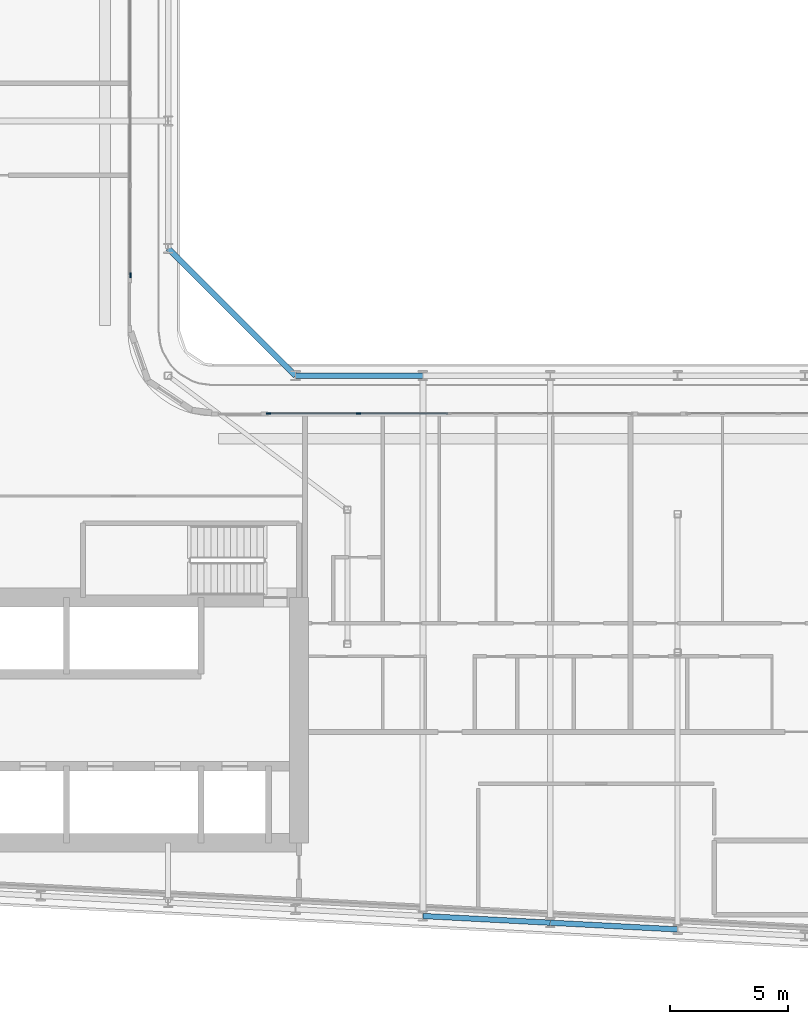
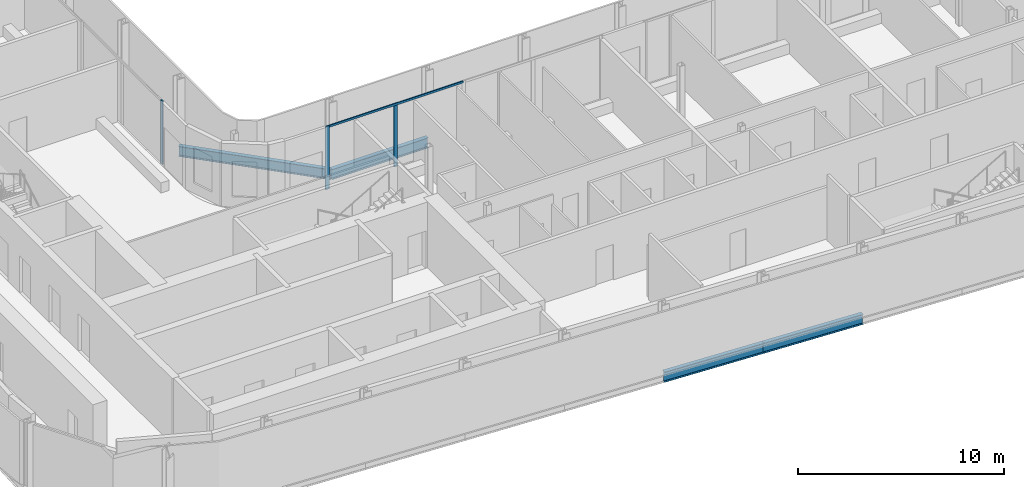
# One storey, part 6 of 30: 4 beams, 4 members, 2 elements without a shape of their own.
"""IFC4 building model written with IfcOpenShell, lengths in metres."""

import ifcopenshell
import ifcopenshell.guid

model = None  # the IFC model being written
_history = None  # IfcOwnerHistory: only IFC2X3 demands one
_inside = {}  # id of a spatial element -> (the spatial element, [elements in it])
_under = {}  # id of a project, library or spatial element -> (it, [spatial elements below it])
_declared = {}  # id of a project -> (the project, [libraries it declares])
_typed = {}  # id of a type object -> (the type object, [elements of that type])
_made_of = {}  # id of a material, layer set ... -> (it, [elements and type objects made of it])


def new_model(schema):
    """Start an empty IFC model of exactly this schema.

    Asked for "IFC4X3", IfcOpenShell would pick the latest addendum, in which some entities
    have other attributes; the version numbers below select the first issue.
    IFC2X3 requires an IfcOwnerHistory on every rooted entity: one is made here for all.
    """
    global model, _history
    if schema == "IFC4X3":
        model = ifcopenshell.file(schema_version=(4, 3, 0, 0))
    else:
        model = ifcopenshell.file(schema=schema)
    _inside.clear()
    _under.clear()
    _declared.clear()
    _typed.clear()
    _made_of.clear()
    _history = None
    if model.schema == "IFC2X3":
        org = make("IfcOrganization", Name="unknown")
        user = make(
            "IfcPersonAndOrganization",
            ThePerson=make("IfcPerson", FamilyName="unknown"),
            TheOrganization=org,
        )
        app = make(
            "IfcApplication",
            ApplicationDeveloper=org,
            Version="unknown",
            ApplicationFullName="unknown",
            ApplicationIdentifier="unknown",
        )
        _history = make(
            "IfcOwnerHistory",
            OwningUser=user,
            OwningApplication=app,
            ChangeAction="ADDED",
            CreationDate=0,
        )
    return model


def make(cls, **values):
    """One entity of the class cls with the attributes given. An attribute that is None is left unset."""
    return model.create_entity(
        cls, **{name: value for name, value in values.items() if value is not None}
    )


def rooted(cls, **values):
    """An entity with a GlobalId (a new one), such as an element, a storey or a relation."""
    return make(cls, GlobalId=ifcopenshell.guid.new(), OwnerHistory=_history, **values)


def si_unit(unit_type, name, prefix=None):
    """IfcSIUnit, for example si_unit("LENGTHUNIT", "METRE", prefix="MILLI")."""
    return make("IfcSIUnit", UnitType=unit_type, Prefix=prefix, Name=name)


def assignment(units):
    """IfcUnitAssignment: the units of a project."""
    return None if units is None else make("IfcUnitAssignment", Units=units)


def point(xyz):
    """IfcCartesianPoint."""
    return None if xyz is None else make("IfcCartesianPoint", Coordinates=xyz)


def direction(xyz):
    """IfcDirection."""
    return None if xyz is None else make("IfcDirection", DirectionRatios=xyz)


def frame(location, z_axis=None, x_axis=None):
    """IfcAxis2Placement3D, a coordinate frame: its origin and axes. An axis left out is left unset."""
    return make(
        "IfcAxis2Placement3D",
        Location=point(location),
        Axis=direction(z_axis),
        RefDirection=direction(x_axis),
    )


def frame_2d(location, x_axis=None):
    """IfcAxis2Placement2D, a coordinate frame in the plane: its origin and x axis."""
    return make(
        "IfcAxis2Placement2D", Location=point(location), RefDirection=direction(x_axis)
    )


def origin():
    """The frame at (0, 0, 0) with its axes left unset."""
    return frame((0.0, 0.0, 0.0))


def origin_2d():
    """The frame at (0, 0) in the plane with its x axis left unset."""
    return frame_2d((0.0, 0.0))


def place(relative_to, where):
    """IfcLocalPlacement: puts the frame where relative to a parent placement (None: the world)."""
    return make(
        "IfcLocalPlacement", PlacementRelTo=relative_to, RelativePlacement=where
    )


def context(
    kind, dimensions, precision=None, world=None, true_north=None, identifier=None
):
    """IfcGeometricRepresentationContext, for example the 3D "Model" context."""
    return make(
        "IfcGeometricRepresentationContext",
        ContextIdentifier=identifier,
        ContextType=kind,
        CoordinateSpaceDimension=dimensions,
        Precision=precision,
        WorldCoordinateSystem=world,
        TrueNorth=true_north,
    )


def subcontext(parent, identifier, kind, view, scale=None):
    """IfcGeometricRepresentationSubContext, for example "Body" below "Model"."""
    return make(
        "IfcGeometricRepresentationSubContext",
        ContextIdentifier=identifier,
        ContextType=kind,
        ParentContext=parent,
        TargetScale=scale,
        TargetView=view,
    )


def project(units=None, contexts=None):
    """IfcProject with its units and contexts."""
    return rooted(
        "IfcProject",
        Name="project",
        RepresentationContexts=contexts,
        UnitsInContext=assignment(units),
    )


def spatial(cls, under=None, at=None, **own):
    """A site, building, storey or space (cls), placed at a placement, below another one or the project."""
    s = rooted(cls, ObjectPlacement=at, **own)
    if under is not None:
        _under.setdefault(under.id(), (under, []))[1].append(s)
    return s


def profile(cls, at=None, kind="AREA", **sizes):
    """A parametric profile (cls). Its sizes go by their IFC names, for example OverallWidth=200.0."""
    return make(cls, ProfileType=kind, Position=at, **sizes)


def rectangle(**sizes):
    """IfcRectangleProfileDef."""
    return profile("IfcRectangleProfileDef", **sizes)


def i_section(**sizes):
    """IfcIShapeProfileDef."""
    return profile("IfcIShapeProfileDef", **sizes)


def extrude(swept, where, along, depth):
    """IfcExtrudedAreaSolid: the profile swept, set in the frame where, extruded along a direction by depth."""
    return make(
        "IfcExtrudedAreaSolid",
        SweptArea=swept,
        Position=where,
        ExtrudedDirection=direction(along),
        Depth=depth,
    )


def shape(context_of_items, identifier, shape_type, items):
    """IfcShapeRepresentation: the items that make up one representation, for example the "Body"."""
    return make(
        "IfcShapeRepresentation",
        ContextOfItems=context_of_items,
        RepresentationIdentifier=identifier,
        RepresentationType=shape_type,
        Items=items,
    )


def material(Name=None, Category=None):
    """IfcMaterial."""
    return make("IfcMaterial", Name=Name, Category=Category)


def layer(
    of_material, thickness, ventilated=None, Name=None, Category=None, Priority=None
):
    """IfcMaterialLayer: one layer of a wall or slab, of a material (None: an air gap)."""
    return make(
        "IfcMaterialLayer",
        Material=of_material,
        LayerThickness=thickness,
        IsVentilated=ventilated,
        Name=Name,
        Category=Category,
        Priority=Priority,
    )


def layer_set(layers, Name=None):
    """IfcMaterialLayerSet."""
    return make("IfcMaterialLayerSet", MaterialLayers=layers, LayerSetName=Name)


def material_profile(
    of_material, cross_section, Name=None, Category=None, Priority=None
):
    """IfcMaterialProfile: a cross section and its material."""
    return make(
        "IfcMaterialProfile",
        Name=Name,
        Material=of_material,
        Profile=cross_section,
        Priority=Priority,
        Category=Category,
    )


def profile_set(profiles, Name=None, composite=None):
    """IfcMaterialProfileSet."""
    return make(
        "IfcMaterialProfileSet",
        Name=Name,
        MaterialProfiles=profiles,
        CompositeProfile=composite,
    )


def made_of(thing, what):
    """Note that an element or type object is made of a material, layer set ...; save() writes the relation."""
    if what is not None:
        _made_of.setdefault(what.id(), (what, []))[1].append(thing)
    return thing


def type_object(cls, material=None, **own):
    """A type object (cls), such as IfcWallType, which elements share."""
    return made_of(rooted(cls, **own), material)


def element(
    cls,
    number,
    at=None,
    inside=None,
    cuts=None,
    type_object=None,
    material=None,
    context=None,
    identifier="Body",
    shape_type=None,
    held_by="IfcProductDefinitionShape",
    body=None,
    shapes=None,
    **own,
):
    """One element of the class cls, such as IfcWall. Its Tag is "e" and its number.

    at: its placement. inside: the storey or other place that contains it. cuts: it is an
    opening in that element (IfcRelVoidsElement). A single representation is given by context,
    identifier, shape_type and body (its items); several are given by shapes. held_by: the class
    of the entity that holds the representations. save() writes the other relations.
    """
    e = rooted(cls, Tag="e%d" % number, ObjectPlacement=at, **own)
    if body is not None:
        shapes = [shape(context, identifier, shape_type, body)]
    if shapes is not None:
        e.Representation = make(held_by, Representations=shapes)
    if inside is not None:
        _inside.setdefault(inside.id(), (inside, []))[1].append(e)
    if cuts is not None:
        rooted(
            "IfcRelVoidsElement", RelatingBuildingElement=cuts, RelatedOpeningElement=e
        )
    if type_object is not None:
        _typed.setdefault(type_object.id(), (type_object, []))[1].append(e)
    return made_of(e, material)


def aggregate(whole, parts):
    """IfcRelAggregates: a whole, such as a stair, and the parts it consists of."""
    return rooted("IfcRelAggregates", RelatingObject=whole, RelatedObjects=parts)


def save(model, path):
    """Write the relations noted so far, then the file.

    IfcRelAggregates (storeys below a building ...), IfcRelContainedInSpatialStructure (elements
    in a storey), IfcRelDefinesByType, IfcRelAssociatesMaterial and IfcRelDeclares: one each for
    every whole, place, type object, material and project.
    """
    for whole, parts in _under.values():
        aggregate(whole, parts)
    for where, things in _inside.values():
        rooted(
            "IfcRelContainedInSpatialStructure",
            RelatedElements=things,
            RelatingStructure=where,
        )
    for kind, things in _typed.values():
        rooted("IfcRelDefinesByType", RelatedObjects=things, RelatingType=kind)
    for what, things in _made_of.values():
        rooted("IfcRelAssociatesMaterial", RelatedObjects=things, RelatingMaterial=what)
    for by, libraries in _declared.values():
        rooted("IfcRelDeclares", RelatingContext=by, RelatedDefinitions=libraries)
    model.write(path)


model = new_model("IFC4")

# Units and contexts
model_context = context("Model", 3, precision=1e-05, world=origin(), true_north=direction((0.0, 1.0)))
body_context = subcontext(model_context, "Body", "Model", "MODEL_VIEW")
ifc_project = project(units=[si_unit("LENGTHUNIT", "METRE"), si_unit("AREAUNIT", "SQUARE_METRE"), si_unit("VOLUMEUNIT", "CUBIC_METRE"), si_unit("PLANEANGLEUNIT", "RADIAN"), si_unit("MASSUNIT", "GRAM", prefix="KILO")], contexts=[model_context])

# Site, building, storey
site_placement = place(None, origin())
site = spatial("IfcSite", under=ifc_project, at=site_placement, CompositionType="ELEMENT")
building_placement = place(site_placement, origin())
building = spatial("IfcBuilding", under=site, at=building_placement, Name="Kheshtan School and Residences Tower", CompositionType="ELEMENT")
storey_placement = place(building_placement, frame((0.0, 0.0, 195.5)))
storey = spatial("IfcBuildingStorey", under=building, at=storey_placement, Name="L46", CompositionType="ELEMENT", Elevation=195.5)

# Beams
ifc_material_1 = material(Name="Steel ASTM A992 Grade 50", Category="steel")
ifc_material_profile_1 = material_profile(ifc_material_1, i_section(OverallWidth=0.22802734375, OverallDepth=0.60302734375, WebThickness=0.010498046875, FlangeThickness=0.014892578125, FilletRadius=0.013427734375, at=origin_2d()), Name="W610x101")
ifc_profile_set_1 = profile_set([ifc_material_profile_1], Name="Steel ASTM A992 Grade 50")
beam_type = type_object("IfcBeamType", Name="Beam SP2 W610x101 ASTM A992 Grade 50", PredefinedType="BEAM", material=ifc_profile_set_1)
beam_1_placement = place(storey_placement, frame((47.60009765625, 51.0, -0.451416015625), z_axis=(0.707106781187, -0.707106781187, 0.0), x_axis=(0.707106781187, 0.707106781187, 0.0)))
element("IfcBeam", 1, at=beam_1_placement, inside=storey, type_object=beam_type, Name="Spandrel beam C079-C061", PredefinedType="BEAM", context=body_context, shape_type="SweptSolid", body=[
    extrude(i_section(OverallWidth=0.22802734375, OverallDepth=0.60302734375, WebThickness=0.010498046875, FlangeThickness=0.014892578125, FilletRadius=0.013427734375, at=origin_2d()), origin(), (0.0, 0.0, 1.0), 7.63671875),
])
beam_2_placement = place(storey_placement, frame((53.0, 45.60009765625, -0.451416015625), z_axis=(1.0, 0.0, 0.0), x_axis=(0.0, 1.0, 0.0)))
element("IfcBeam", 2, at=beam_2_placement, inside=storey, type_object=beam_type, Name="Spandrel beam C061-C062", PredefinedType="BEAM", context=body_context, shape_type="SweptSolid", body=[
    extrude(i_section(OverallWidth=0.22802734375, OverallDepth=0.60302734375, WebThickness=0.010498046875, FlangeThickness=0.014892578125, FilletRadius=0.013427734375, at=origin_2d()), origin(), (0.0, 0.0, 1.0), 5.39990234375),
])
beam_3_placement = place(storey_placement, frame((69.199951171875, 22.126953125, -0.451416015625), z_axis=(-0.998620447272, 0.05250906864, 0.0), x_axis=(-0.05250906864, -0.998620447272, 0.0)))
element("IfcBeam", 3, at=beam_3_placement, inside=storey, type_object=beam_type, Name="Spandrel beam C014-C016", PredefinedType="BEAM", context=body_context, shape_type="SweptSolid", body=[
    extrude(i_section(OverallWidth=0.22802734375, OverallDepth=0.60302734375, WebThickness=0.010498046875, FlangeThickness=0.014892578125, FilletRadius=0.013427734375, at=origin_2d()), origin(), (0.0, 0.0, 1.0), 5.407470703125),
])
beam_4_placement = place(storey_placement, frame((63.800048828125, 22.410888671875, -0.451416015625), z_axis=(-0.998618203458, 0.052551724256, 0.0), x_axis=(-0.052551724256, -0.998618203458, 0.0)))
element("IfcBeam", 4, at=beam_4_placement, inside=storey, type_object=beam_type, Name="Spandrel beam C016-C018", PredefinedType="BEAM", context=body_context, shape_type="SweptSolid", body=[
    extrude(i_section(OverallWidth=0.22802734375, OverallDepth=0.60302734375, WebThickness=0.010498046875, FlangeThickness=0.014892578125, FilletRadius=0.013427734375, at=origin_2d()), origin(), (0.0, 0.0, 1.0), 5.40771484375),
])

# Curtain wall, member
ifc_material_2 = material(Name="Clear low-e glass in thermally broken aluminium frame", Category="aluminium")
ifc_layer = layer(ifc_material_2, 0.199951171875)
ifc_layer_set = layer_set([ifc_layer], Name="Curtain wall CW-L")
curtain_wall_type = type_object("IfcCurtainWallType", Name="Curtain wall CW-L", PredefinedType="NOTDEFINED", material=ifc_layer_set)
curtain_wall_1_placement = place(storey_placement, origin())
curtain_wall_1 = element("IfcCurtainWall", 5, at=curtain_wall_1_placement, inside=storey, type_object=curtain_wall_type, Name="Curtain wall CWL8", PredefinedType="NOTDEFINED")
ifc_material_3 = material(Name="Thermally broken aluminium, dark bronze anodised", Category="aluminium")
ifc_material_profile_2 = material_profile(ifc_material_3, rectangle(XDim=0.06005859375, YDim=0.199951171875, at=origin_2d()), Name="CW-L mullion 60x200")
ifc_profile_set_2 = profile_set([ifc_material_profile_2], Name="Thermally broken aluminium, dark bronze anodised")
member_type_1 = type_object("IfcMemberType", Name="CW-L mullion 60x200", PredefinedType="MULLION", material=ifc_profile_set_2)
member_1_placement = place(storey_placement, frame((46.0, 49.860107421875, 0.0), z_axis=(0.0, 0.0, 1.0), x_axis=(1.0, 0.0, 0.0)))
member_1 = element("IfcMember", 6, at=member_1_placement, type_object=member_type_1, Name="CWL8 mullion 3", PredefinedType="MULLION", context=body_context, shape_type="SweptSolid", body=[
    extrude(rectangle(XDim=0.06005859375, YDim=0.199951171875, at=origin_2d()), origin(), (0.0, 0.0, 1.0), 3.75),
])
aggregate(curtain_wall_1, [member_1])

# Curtain wall, members
curtain_wall_2_placement = place(storey_placement, origin())
curtain_wall_2 = element("IfcCurtainWall", 7, at=curtain_wall_2_placement, inside=storey, type_object=curtain_wall_type, Name="Curtain wall CWL12j", PredefinedType="NOTDEFINED")
member_2_placement = place(storey_placement, frame((51.860107421875, 44.0, 0.0), z_axis=(0.0, 0.0, 1.0), x_axis=(0.0, 1.0, 0.0)))
member_2 = element("IfcMember", 8, at=member_2_placement, type_object=member_type_1, Name="CWL12j mullion 1", PredefinedType="MULLION", context=body_context, shape_type="SweptSolid", body=[
    extrude(rectangle(XDim=0.06005859375, YDim=0.199951171875, at=origin_2d()), origin(), (0.0, 0.0, 1.0), 3.75),
])
member_3_placement = place(storey_placement, frame((55.677001953125, 44.0, 0.0), z_axis=(0.0, 0.0, 1.0), x_axis=(0.0, 1.0, 0.0)))
member_3 = element("IfcMember", 9, at=member_3_placement, type_object=member_type_1, Name="CWL12j mullion 2", PredefinedType="MULLION", context=body_context, shape_type="SweptSolid", body=[
    extrude(rectangle(XDim=0.06005859375, YDim=0.199951171875, at=origin_2d()), origin(), (0.0, 0.0, 1.0), 3.6298828125),
])
ifc_material_profile_3 = material_profile(ifc_material_3, rectangle(XDim=0.06005859375, YDim=0.1201171875, at=origin_2d()), Name="CW-L transom 60x120")
ifc_profile_set_3 = profile_set([ifc_material_profile_3], Name="Thermally broken aluminium, dark bronze anodised")
member_type_2 = type_object("IfcMemberType", Name="CW-L transom 60x120", PredefinedType="USERDEFINED", material=ifc_profile_set_3)
member_4_placement = place(storey_placement, frame((51.889892578125, 44.0, 3.68994140625), z_axis=(1.0, 0.0, 0.0), x_axis=(0.0, 1.0, 0.0)))
member_4 = element("IfcMember", 10, at=member_4_placement, type_object=member_type_2, Name="CWL12j transom 1", ObjectType="TRANSOM", PredefinedType="USERDEFINED", context=body_context, shape_type="SweptSolid", body=[
    extrude(rectangle(XDim=0.06005859375, YDim=0.1201171875, at=origin_2d()), origin(), (0.0, 0.0, 1.0), 7.57421875),
])
aggregate(curtain_wall_2, [member_2, member_3, member_4])

save(model, "model.ifc")
